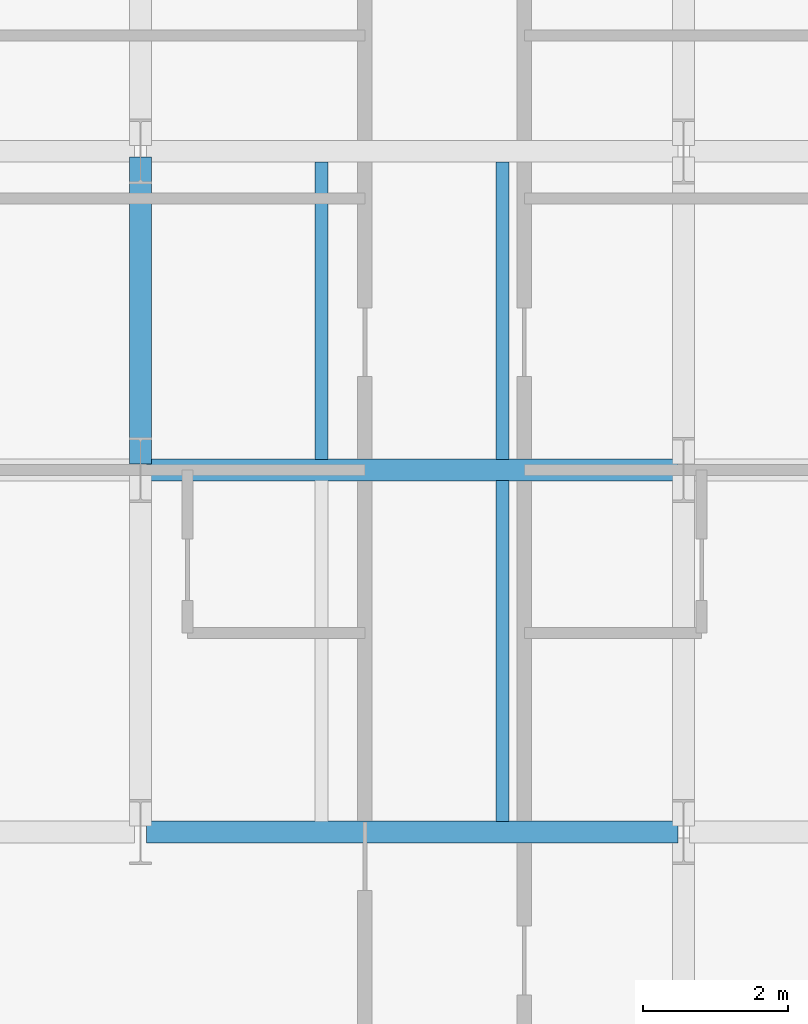
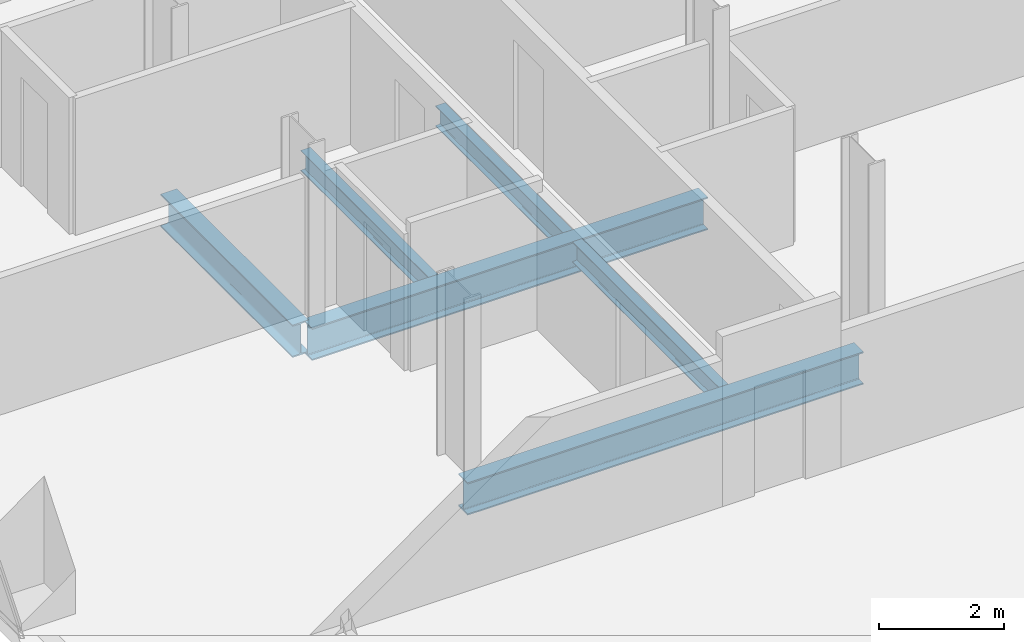
# One storey, part 5 of 32: 6 beams.
"""IFC4 building model written with IfcOpenShell, lengths in metres."""

from ifc_helpers import new_model, si_unit, direction, frame, origin, origin_2d, place, context, subcontext, project, spatial, i_section, extrude, material, material_profile, profile_set, type_object, element, save


model = new_model("IFC4")

# Units and contexts
model_context = context("Model", 3, precision=1e-05, world=origin(), true_north=direction((0.0, 1.0)))
body_context = subcontext(model_context, "Body", "Model", "MODEL_VIEW")
ifc_project = project(units=[si_unit("LENGTHUNIT", "METRE"), si_unit("AREAUNIT", "SQUARE_METRE"), si_unit("VOLUMEUNIT", "CUBIC_METRE"), si_unit("PLANEANGLEUNIT", "RADIAN"), si_unit("MASSUNIT", "GRAM", prefix="KILO")], contexts=[model_context])

# Site, building, storey
site_placement = place(None, origin())
site = spatial("IfcSite", under=ifc_project, at=site_placement, CompositionType="ELEMENT")
building_placement = place(site_placement, origin())
building = spatial("IfcBuilding", under=site, at=building_placement, Name="Catumbela Crestline Tower", CompositionType="ELEMENT")
storey_placement = place(building_placement, frame((0.0, 0.0, 33.0)))
storey = spatial("IfcBuildingStorey", under=building, at=storey_placement, Name="L07", CompositionType="ELEMENT", Elevation=33.0)

# Beams
ifc_material = material(Name="Structural steel S355J2", Category="steel")
ifc_material_profile_1 = material_profile(ifc_material, i_section(OverallWidth=0.3, OverallDepth=0.64, WebThickness=0.0135, FlangeThickness=0.026, FilletRadius=0.027, at=origin_2d()), Name="HEA 650")
ifc_profile_set_1 = profile_set([ifc_material_profile_1], Name="Structural steel S355J2")
beam_type_1 = type_object("IfcBeamType", Name="BG-HEA650", PredefinedType="BEAM", material=ifc_profile_set_1)
for number, where, z_axis, x_axis, name in (
    (1, (8.58, 8.6, -0.58), (1.0, 0.0, 0.0), (0.0, 1.0, 0.0), "L07 Beam BM-L07-WEW49"),
    (2, (8.58, 13.6, -0.58), (1.0, 0.0, 0.0), (0.0, 1.0, 0.0), "L07 Beam BM-L07-WEW52"),
):
    element("IfcBeam", number, at=place(storey_placement, frame(where, z_axis=z_axis, x_axis=x_axis)), inside=storey, type_object=beam_type_1, Name=name, PredefinedType="BEAM", context=body_context, shape_type="SweptSolid", body=[
        extrude(i_section(OverallWidth=0.3, OverallDepth=0.64, WebThickness=0.0135, FlangeThickness=0.026, FilletRadius=0.027, at=origin_2d()), origin(), (0.0, 0.0, 1.0), 7.34),
    ])
beam_1_placement = place(storey_placement, frame((8.5, 13.68, -0.58), z_axis=(0.0, 1.0, 0.0), x_axis=(-1.0, 0.0, 0.0)))
element("IfcBeam", 3, at=beam_1_placement, inside=storey, type_object=beam_type_1, Name="L07 Beam BM-L07-WNS62", PredefinedType="BEAM", context=body_context, shape_type="SweptSolid", body=[
    extrude(i_section(OverallWidth=0.3, OverallDepth=0.64, WebThickness=0.0135, FlangeThickness=0.026, FilletRadius=0.027, at=origin_2d()), origin(), (0.0, 0.0, 1.0), 4.24),
])
ifc_material_profile_2 = material_profile(ifc_material, i_section(OverallWidth=0.18, OverallDepth=0.4, WebThickness=0.0086, FlangeThickness=0.0135, FilletRadius=0.021, at=origin_2d()), Name="IPE 400")
ifc_profile_set_2 = profile_set([ifc_material_profile_2], Name="Structural steel S355J2")
beam_type_2 = type_object("IfcBeamType", Name="BJ-IPE400", PredefinedType="JOIST", material=ifc_profile_set_2)
beam_2_placement = place(storey_placement, frame((13.5, 8.747, -0.46), z_axis=(0.0, 1.0, 0.0), x_axis=(-1.0, 0.0, 0.0)))
element("IfcBeam", 4, at=beam_2_placement, inside=storey, type_object=beam_type_2, Name="L07 Joist JS-L07-WG73", PredefinedType="JOIST", context=body_context, shape_type="SweptSolid", body=[
    extrude(i_section(OverallWidth=0.18, OverallDepth=0.4, WebThickness=0.0086, FlangeThickness=0.0135, FilletRadius=0.021, at=origin_2d()), origin(), (0.0, 0.0, 1.0), 4.706),
])
for number, where, z_axis, x_axis, name in (
    (5, (11.0, 13.747, -0.46), (0.0, 1.0, 0.0), (-1.0, 0.0, 0.0), "L07 Joist JS-L07-WG78"),
    (6, (13.5, 13.747, -0.46), (0.0, 1.0, 0.0), (-1.0, 0.0, 0.0), "L07 Joist JS-L07-WG79"),
):
    element("IfcBeam", number, at=place(storey_placement, frame(where, z_axis=z_axis, x_axis=x_axis)), inside=storey, type_object=beam_type_2, Name=name, PredefinedType="JOIST", context=body_context, shape_type="SweptSolid", body=[
        extrude(i_section(OverallWidth=0.18, OverallDepth=0.4, WebThickness=0.0086, FlangeThickness=0.0135, FilletRadius=0.021, at=origin_2d()), origin(), (0.0, 0.0, 1.0), 4.106),
    ])

save(model, "model.ifc")
